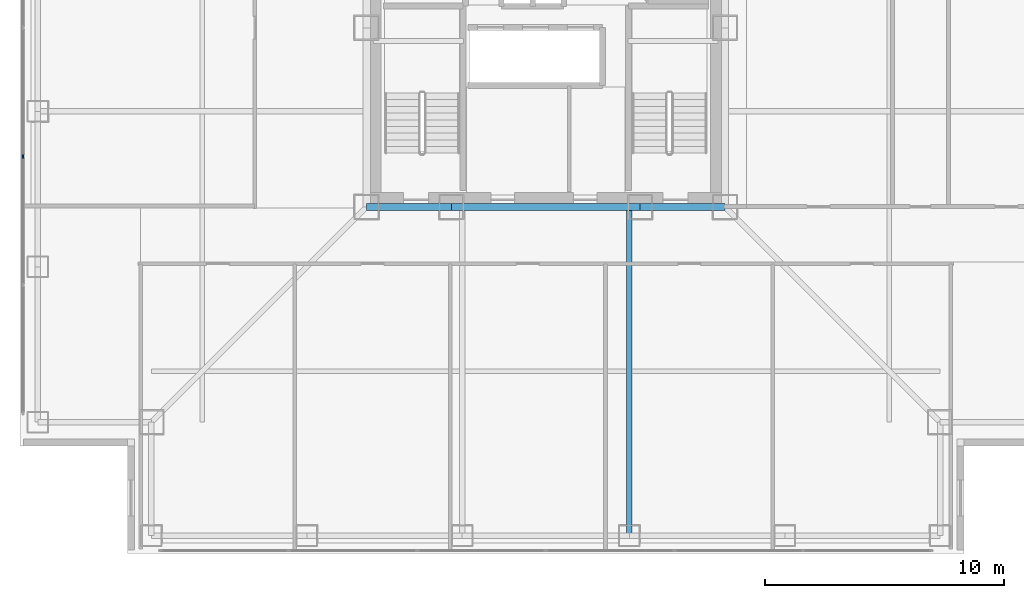
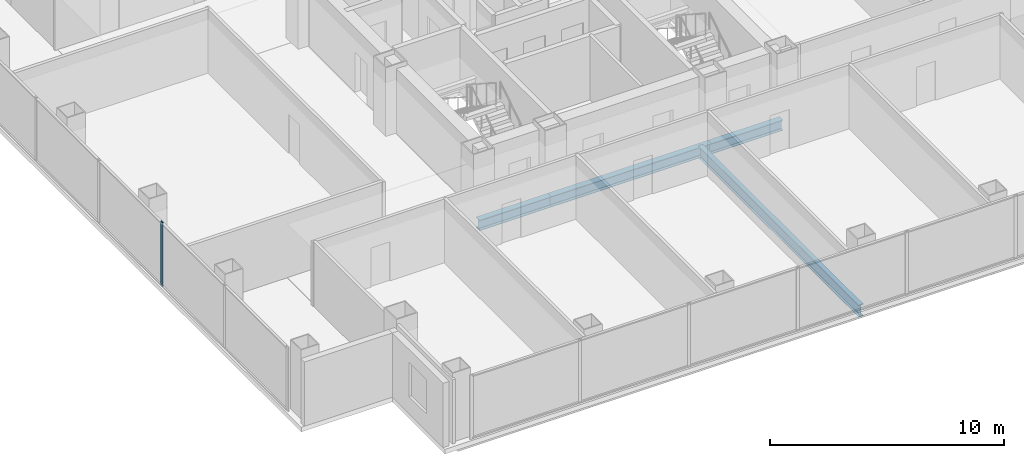
# One storey, part 4 of 17: 4 beams, 1 member, 1 element without a shape of its own.
"""IFC4 building model written with IfcOpenShell, lengths in metres."""

from ifc_helpers import new_model, si_unit, direction, frame, origin, origin_2d, place, context, subcontext, project, spatial, rectangle, i_section, extrude, material, layer, layer_set, material_profile, profile_set, type_object, element, aggregate, save


model = new_model("IFC4")

# Units and contexts
model_context = context("Model", 3, precision=1e-05, world=origin(), true_north=direction((0.0, 1.0)))
body_context = subcontext(model_context, "Body", "Model", "MODEL_VIEW")
ifc_project = project(units=[si_unit("LENGTHUNIT", "METRE"), si_unit("AREAUNIT", "SQUARE_METRE"), si_unit("VOLUMEUNIT", "CUBIC_METRE"), si_unit("PLANEANGLEUNIT", "RADIAN"), si_unit("MASSUNIT", "GRAM", prefix="KILO")], contexts=[model_context])

# Site, building, storey
site_placement = place(None, origin())
site = spatial("IfcSite", under=ifc_project, at=site_placement, CompositionType="ELEMENT")
building_placement = place(site_placement, origin())
building = spatial("IfcBuilding", under=site, at=building_placement, Name="Trevonay Congress Spire", CompositionType="ELEMENT")
storey_placement = place(building_placement, frame((0.0, 0.0, 108.39990234375)))
storey = spatial("IfcBuildingStorey", under=building, at=storey_placement, Name="L27", CompositionType="ELEMENT", Elevation=108.39990234375)

# Beams
ifc_material_1 = material(Name="Steel ASTM A572 Grade 50", Category="steel")
ifc_material_profile_1 = material_profile(ifc_material_1, i_section(OverallWidth=0.31201171875, OverallDepth=0.54296875, WebThickness=0.0126953125, FlangeThickness=0.020263671875, FilletRadius=0.014892578125, at=origin_2d()), Name="W530x150")
ifc_profile_set_1 = profile_set([ifc_material_profile_1], Name="Steel ASTM A572 Grade 50")
beam_type_1 = type_object("IfcBeamType", Name="BM-GIRD-W530X150", PredefinedType="BEAM", material=ifc_profile_set_1)
beam_1_placement = place(storey_placement, frame((-7.5, -7.5, -0.511474609375), z_axis=(1.0, 0.0, 0.0), x_axis=(0.0, 1.0, 0.0)))
element("IfcBeam", 1, at=beam_1_placement, inside=storey, type_object=beam_type_1, Name="L27 structural beam BM-L27-CR-S1", PredefinedType="BEAM", context=body_context, shape_type="SweptSolid", body=[
    extrude(i_section(OverallWidth=0.31201171875, OverallDepth=0.54296875, WebThickness=0.0126953125, FlangeThickness=0.020263671875, FilletRadius=0.014892578125, at=origin_2d()), origin(), (0.0, 0.0, 1.0), 3.550048828125),
])
beam_2_placement = place(storey_placement, frame((-3.949951171875, -7.5, -0.511474609375), z_axis=(1.0, 0.0, 0.0), x_axis=(0.0, 1.0, 0.0)))
element("IfcBeam", 2, at=beam_2_placement, inside=storey, type_object=beam_type_1, Name="L27 structural beam BM-L27-CR-S2", PredefinedType="BEAM", context=body_context, shape_type="SweptSolid", body=[
    extrude(i_section(OverallWidth=0.31201171875, OverallDepth=0.54296875, WebThickness=0.0126953125, FlangeThickness=0.020263671875, FilletRadius=0.014892578125, at=origin_2d()), origin(), (0.0, 0.0, 1.0), 7.89990234375),
])
beam_3_placement = place(storey_placement, frame((3.949951171875, -7.5, -0.511474609375), z_axis=(1.0, 0.0, 0.0), x_axis=(0.0, 1.0, 0.0)))
element("IfcBeam", 3, at=beam_3_placement, inside=storey, type_object=beam_type_1, Name="L27 structural beam BM-L27-CR-S3", PredefinedType="BEAM", context=body_context, shape_type="SweptSolid", body=[
    extrude(i_section(OverallWidth=0.31201171875, OverallDepth=0.54296875, WebThickness=0.0126953125, FlangeThickness=0.020263671875, FilletRadius=0.014892578125, at=origin_2d()), origin(), (0.0, 0.0, 1.0), 3.550048828125),
])
ifc_material_profile_2 = material_profile(ifc_material_1, i_section(OverallWidth=0.22998046875, OverallDepth=0.616943359375, WebThickness=0.01318359375, FlangeThickness=0.022216796875, FilletRadius=0.01611328125, at=origin_2d()), Name="W610x140")
ifc_profile_set_2 = profile_set([ifc_material_profile_2], Name="Steel ASTM A572 Grade 50")
beam_type_2 = type_object("IfcBeamType", Name="BM-GIRD-W610X140", PredefinedType="BEAM", material=ifc_profile_set_2)
beam_4_placement = place(storey_placement, frame((3.5, -7.5, -0.54833984375), z_axis=(0.0, -1.0, 0.0), x_axis=(1.0, 0.0, 0.0)))
element("IfcBeam", 4, at=beam_4_placement, inside=storey, type_object=beam_type_2, Name="L27 structural beam BM-L27-GS-P", PredefinedType="BEAM", context=body_context, shape_type="SweptSolid", body=[
    extrude(i_section(OverallWidth=0.22998046875, OverallDepth=0.616943359375, WebThickness=0.01318359375, FlangeThickness=0.022216796875, FilletRadius=0.01611328125, at=origin_2d()), origin(), (0.0, 0.0, 1.0), 13.75),
])

# Curtain wall, member
ifc_material_2 = material(Name="Pale Anodised Aluminium EN AW-6063-T6", Category="aluminium")
ifc_layer = layer(ifc_material_2, 0.175048828125, Name="Pale Anodised Aluminium EN AW-6063-T6")
ifc_layer_set = layer_set([ifc_layer], Name="Pale Anodised Aluminium EN AW-6063-T6")
curtain_wall_type = type_object("IfcCurtainWallType", Name="CW-SYS03-CONGRESS-PALE-METAL", PredefinedType="NOTDEFINED", material=ifc_layer_set)
curtain_wall_placement = place(storey_placement, origin())
curtain_wall = element("IfcCurtainWall", 5, at=curtain_wall_placement, inside=storey, type_object=curtain_wall_type, Name="L27 W unitised curtain wall", PredefinedType="NOTDEFINED")
ifc_material_profile_3 = material_profile(ifc_material_2, rectangle(XDim=0.06005859375, YDim=0.159912109375, at=origin_2d()), Name="CW-MULLION-160-ALUMINIUM")
ifc_profile_set_3 = profile_set([ifc_material_profile_3], Name="Pale Anodised Aluminium EN AW-6063-T6")
member_type = type_object("IfcMemberType", Name="CW-MULLION-160-ALUMINIUM", PredefinedType="MULLION", material=ifc_profile_set_3)
member_placement = place(storey_placement, frame((-21.8798828125, -5.38330078125, 0.0), z_axis=(0.0, 0.0, 1.0), x_axis=(-1.0, 0.0, 0.0)))
member = element("IfcMember", 6, at=member_placement, type_object=member_type, Name="CW03 mullion 3", PredefinedType="MULLION", context=body_context, shape_type="SweptSolid", body=[
    extrude(rectangle(XDim=0.06005859375, YDim=0.159912109375, at=origin_2d()), origin(), (0.0, 0.0, 1.0), 3.360107421875),
])
aggregate(curtain_wall, [member])

save(model, "model.ifc")
